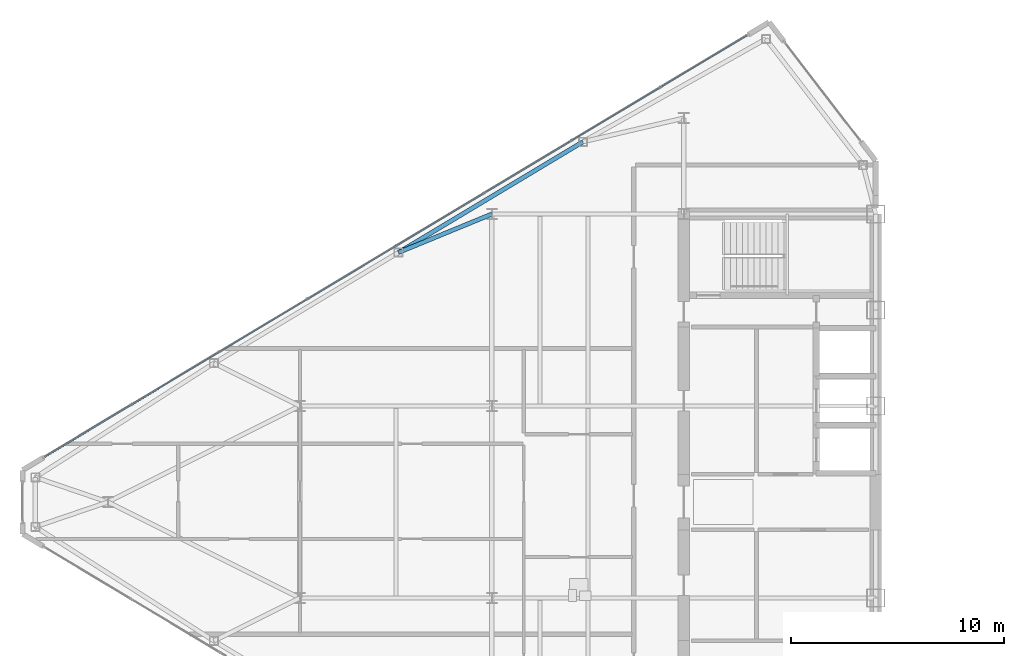
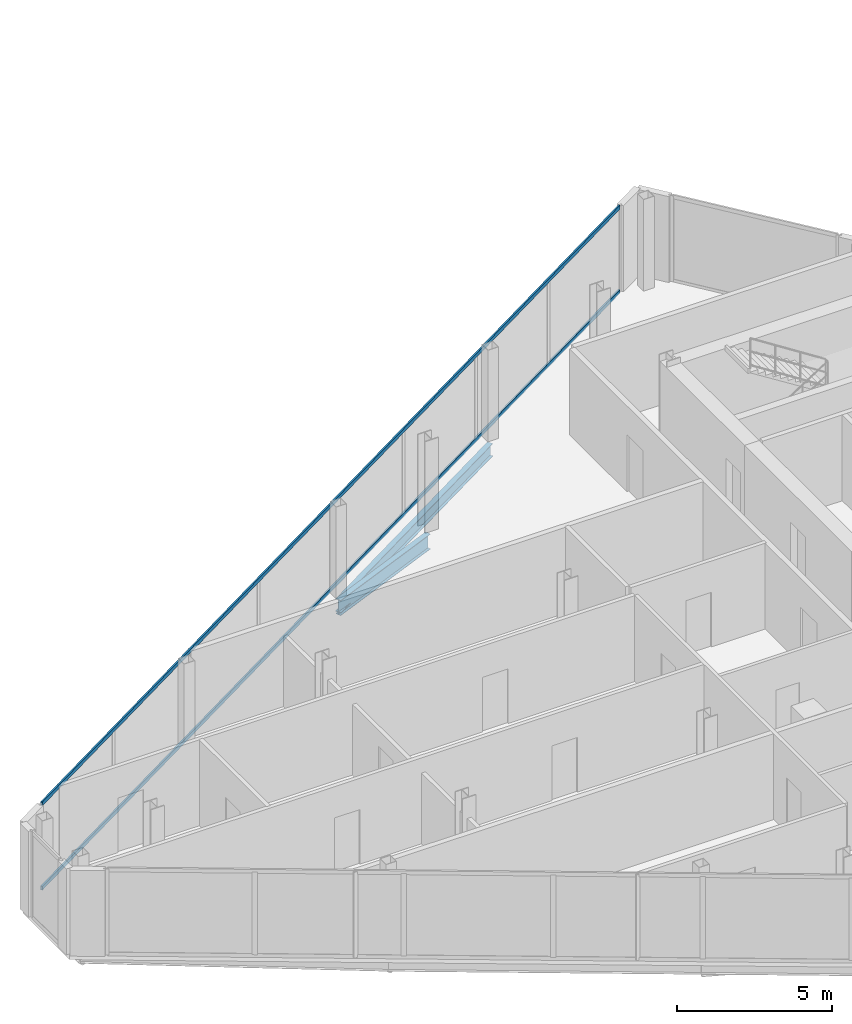
# One storey, part 9 of 26: 2 beams, 2 members, 1 element without a shape of its own.
"""IFC4 building model written with IfcOpenShell, lengths in metres."""

from ifc_helpers import new_model, si_unit, direction, frame, origin, origin_2d, place, context, subcontext, project, spatial, rectangle, i_section, extrude, source, transform, mapped, material, layer, layer_set, material_profile, profile_set, type_object, type_shapes, element, aggregate, save


model = new_model("IFC4")

# Units and contexts
model_context = context("Model", 3, precision=1e-05, world=origin(), true_north=direction((0.0, 1.0)))
body_context = subcontext(model_context, "Body", "Model", "MODEL_VIEW")
ifc_project = project(units=[si_unit("LENGTHUNIT", "METRE"), si_unit("AREAUNIT", "SQUARE_METRE"), si_unit("VOLUMEUNIT", "CUBIC_METRE"), si_unit("PLANEANGLEUNIT", "RADIAN"), si_unit("MASSUNIT", "GRAM", prefix="KILO")], contexts=[model_context])

# Site, building, storey
site_placement = place(None, origin())
site = spatial("IfcSite", under=ifc_project, at=site_placement, CompositionType="ELEMENT")
building_placement = place(site_placement, origin())
building = spatial("IfcBuilding", under=site, at=building_placement, Name="Seokmaru Belvedere", CompositionType="ELEMENT")
storey_placement = place(building_placement, frame((0.0, 0.0, 199.5)))
storey = spatial("IfcBuildingStorey", under=building, at=storey_placement, Name="L53", CompositionType="ELEMENT", Elevation=199.5)

# Beams
ifc_material_1 = material(Name="Steel SM355 (355 MPa)", Category="steel")
ifc_material_profile_1 = material_profile(ifc_material_1, i_section(OverallWidth=0.199951171875, OverallDepth=0.5, WebThickness=0.010009765625, FlangeThickness=0.01611328125, at=origin_2d()), Name="H-500x200x10x16")
ifc_profile_set_1 = profile_set([ifc_material_profile_1], Name="Steel SM355 (355 MPa)")
beam_type_1 = type_object("IfcBeamType", Name="Perimeter Spandrel Beam H-500", PredefinedType="SPANDREL", material=ifc_profile_set_1)
shared_shape_1 = source(origin(), body_context, "Body", "SweptSolid", [
    extrude(i_section(OverallWidth=0.199951171875, OverallDepth=0.5, WebThickness=0.010009765625, FlangeThickness=0.01611328125, at=origin_2d()), origin(), (0.0, 0.0, 1.0), 10.087646484375),
])
type_shapes(beam_type_1, [shared_shape_1])
beam_1_placement = place(storey_placement, frame((-41.229736328125, 16.888916015625, -0.469970703125), z_axis=(-0.857499332045, -0.514485078056, 0.0), x_axis=(0.514485078056, -0.857499332045, 0.0)))
element("IfcBeam", 1, at=beam_1_placement, inside=storey, type_object=beam_type_1, Name="L53 W Faceted Flank Spandrel N-2", PredefinedType="SPANDREL", context=body_context, shape_type="MappedRepresentation", body=[
    mapped(shared_shape_1, transform((0.0, 0.0, 0.0), scale=1.0)),
])
ifc_material_profile_2 = material_profile(ifc_material_1, i_section(OverallWidth=0.199951171875, OverallDepth=0.60009765625, WebThickness=0.010986328125, FlangeThickness=0.01708984375, at=origin_2d()), Name="H-600x200x11x17")
ifc_profile_set_2 = profile_set([ifc_material_profile_2], Name="Steel SM355 (355 MPa)")
beam_type_2 = type_object("IfcBeamType", Name="Primary Floor Girder H-600", PredefinedType="BEAM", material=ifc_profile_set_2)
shared_shape_2 = source(origin(), body_context, "Body", "SweptSolid", [
    extrude(i_section(OverallWidth=0.199951171875, OverallDepth=0.60009765625, WebThickness=0.010986328125, FlangeThickness=0.01708984375, at=origin_2d()), origin(), (0.0, 0.0, 1.0), 4.73583984375),
])
type_shapes(beam_type_2, [shared_shape_2])
beam_2_placement = place(storey_placement, frame((-49.8798828125, 11.698974609375, -0.52001953125), z_axis=(0.924860562953, 0.380306375301, 0.0), x_axis=(-0.380306375301, 0.924860562953, 0.0)))
element("IfcBeam", 2, at=beam_2_placement, inside=storey, type_object=beam_type_2, Name="L53 W Flank Radial Floor Girder N-2", PredefinedType="BEAM", context=body_context, shape_type="MappedRepresentation", body=[
    mapped(shared_shape_2, transform((0.0, 0.0, 0.0), scale=1.0)),
])

# Curtain wall, members
ifc_material_2 = material(Name="Bronze Triple Insulating Glass", Category="glass")
ifc_layer = layer(ifc_material_2, 0.179931640625)
ifc_layer_set = layer_set([ifc_layer], Name="Bronze Triple Insulating Glass")
curtain_wall_type = type_object("IfcCurtainWallType", Name="High-Rise Wind-Corner Curtain Wall System CW-5", PredefinedType="NOTDEFINED", material=ifc_layer_set)
curtain_wall_placement = place(storey_placement, origin())
curtain_wall = element("IfcCurtainWall", 3, at=curtain_wall_placement, inside=storey, type_object=curtain_wall_type, Name="L53 Curtain Wall WF3", PredefinedType="NOTDEFINED")
ifc_material_3 = material(Name="Anodised Bronze Aluminium", Category="aluminium")
ifc_material_profile_3 = material_profile(ifc_material_3, rectangle(XDim=0.06494140625, YDim=0.14990234375, at=origin_2d()), Name="CW-T-65x150")
ifc_profile_set_3 = profile_set([ifc_material_profile_3], Name="Anodised Bronze Aluminium")
member_type = type_object("IfcMemberType", Name="Bronze Unitised Transom 65x150", PredefinedType="USERDEFINED", material=ifc_profile_set_3)
shared_shape_3 = source(origin(), body_context, "Body", "SweptSolid", [
    extrude(rectangle(XDim=0.06494140625, YDim=0.14990234375, at=origin_2d()), origin(), (0.0, 0.0, 1.0), 38.386962890625),
])
type_shapes(member_type, [shared_shape_3])
member_1_placement = place(storey_placement, frame((-33.541748046875, 21.875, 0.032470703125), z_axis=(-0.85749180336, -0.514497626011, 0.0), x_axis=(0.514497626011, -0.85749180336, 0.0)))
member_1 = element("IfcMember", 4, at=member_1_placement, type_object=member_type, Name="CW:L53:WF3 Continuous Transom 1", ObjectType="TRANSOM", PredefinedType="USERDEFINED", context=body_context, shape_type="MappedRepresentation", body=[
    mapped(shared_shape_3, transform((0.0, 0.0, 0.0), scale=1.0)),
])
member_2_placement = place(storey_placement, frame((-33.541748046875, 21.875, 3.347412109375), z_axis=(-0.85749180336, -0.514497626011, 0.0), x_axis=(0.514497626011, -0.85749180336, 0.0)))
member_2 = element("IfcMember", 5, at=member_2_placement, type_object=member_type, Name="CW:L53:WF3 Continuous Transom 2", ObjectType="TRANSOM", PredefinedType="USERDEFINED", context=body_context, shape_type="MappedRepresentation", body=[
    mapped(shared_shape_3, transform((0.0, 0.0, 0.0), scale=1.0)),
])
aggregate(curtain_wall, [member_1, member_2])

save(model, "model.ifc")
